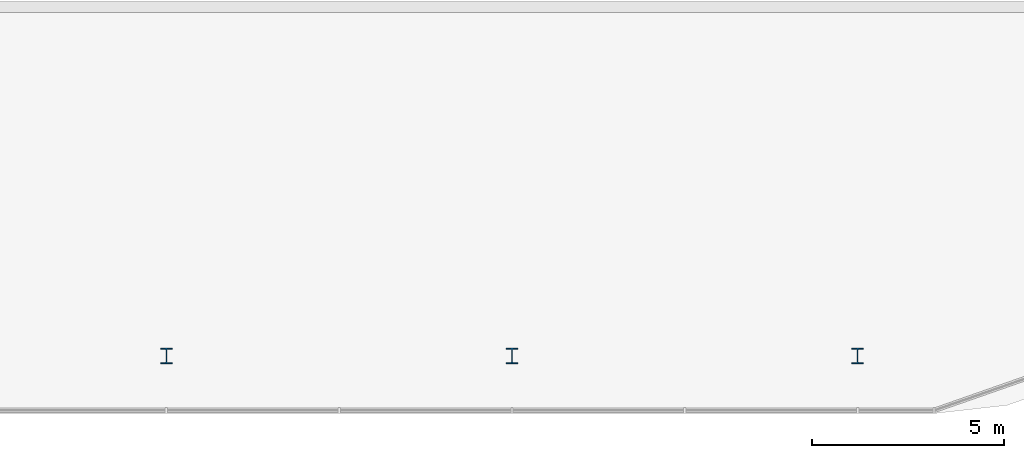
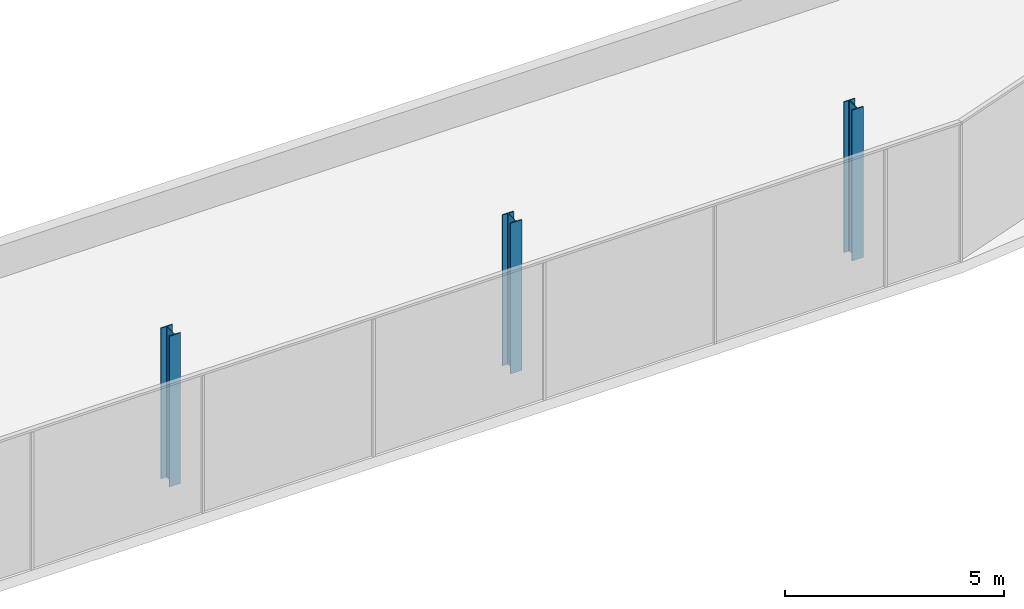
# One storey, part 1 of 5: 3 columns.
"""IFC4 building model written with IfcOpenShell, lengths in metres."""

import ifcopenshell
import ifcopenshell.guid

model = None  # the IFC model being written
_history = None  # IfcOwnerHistory: only IFC2X3 demands one
_inside = {}  # id of a spatial element -> (the spatial element, [elements in it])
_under = {}  # id of a project, library or spatial element -> (it, [spatial elements below it])
_declared = {}  # id of a project -> (the project, [libraries it declares])
_typed = {}  # id of a type object -> (the type object, [elements of that type])
_made_of = {}  # id of a material, layer set ... -> (it, [elements and type objects made of it])


def new_model(schema):
    """Start an empty IFC model of exactly this schema.

    Asked for "IFC4X3", IfcOpenShell would pick the latest addendum, in which some entities
    have other attributes; the version numbers below select the first issue.
    IFC2X3 requires an IfcOwnerHistory on every rooted entity: one is made here for all.
    """
    global model, _history
    if schema == "IFC4X3":
        model = ifcopenshell.file(schema_version=(4, 3, 0, 0))
    else:
        model = ifcopenshell.file(schema=schema)
    _inside.clear()
    _under.clear()
    _declared.clear()
    _typed.clear()
    _made_of.clear()
    _history = None
    if model.schema == "IFC2X3":
        org = make("IfcOrganization", Name="unknown")
        user = make(
            "IfcPersonAndOrganization",
            ThePerson=make("IfcPerson", FamilyName="unknown"),
            TheOrganization=org,
        )
        app = make(
            "IfcApplication",
            ApplicationDeveloper=org,
            Version="unknown",
            ApplicationFullName="unknown",
            ApplicationIdentifier="unknown",
        )
        _history = make(
            "IfcOwnerHistory",
            OwningUser=user,
            OwningApplication=app,
            ChangeAction="ADDED",
            CreationDate=0,
        )
    return model


def make(cls, **values):
    """One entity of the class cls with the attributes given. An attribute that is None is left unset."""
    return model.create_entity(
        cls, **{name: value for name, value in values.items() if value is not None}
    )


def rooted(cls, **values):
    """An entity with a GlobalId (a new one), such as an element, a storey or a relation."""
    return make(cls, GlobalId=ifcopenshell.guid.new(), OwnerHistory=_history, **values)


def si_unit(unit_type, name, prefix=None):
    """IfcSIUnit, for example si_unit("LENGTHUNIT", "METRE", prefix="MILLI")."""
    return make("IfcSIUnit", UnitType=unit_type, Prefix=prefix, Name=name)


def assignment(units):
    """IfcUnitAssignment: the units of a project."""
    return None if units is None else make("IfcUnitAssignment", Units=units)


def point(xyz):
    """IfcCartesianPoint."""
    return None if xyz is None else make("IfcCartesianPoint", Coordinates=xyz)


def direction(xyz):
    """IfcDirection."""
    return None if xyz is None else make("IfcDirection", DirectionRatios=xyz)


def frame(location, z_axis=None, x_axis=None):
    """IfcAxis2Placement3D, a coordinate frame: its origin and axes. An axis left out is left unset."""
    return make(
        "IfcAxis2Placement3D",
        Location=point(location),
        Axis=direction(z_axis),
        RefDirection=direction(x_axis),
    )


def frame_2d(location, x_axis=None):
    """IfcAxis2Placement2D, a coordinate frame in the plane: its origin and x axis."""
    return make(
        "IfcAxis2Placement2D", Location=point(location), RefDirection=direction(x_axis)
    )


def origin():
    """The frame at (0, 0, 0) with its axes left unset."""
    return frame((0.0, 0.0, 0.0))


def origin_2d():
    """The frame at (0, 0) in the plane with its x axis left unset."""
    return frame_2d((0.0, 0.0))


def place(relative_to, where):
    """IfcLocalPlacement: puts the frame where relative to a parent placement (None: the world)."""
    return make(
        "IfcLocalPlacement", PlacementRelTo=relative_to, RelativePlacement=where
    )


def context(
    kind, dimensions, precision=None, world=None, true_north=None, identifier=None
):
    """IfcGeometricRepresentationContext, for example the 3D "Model" context."""
    return make(
        "IfcGeometricRepresentationContext",
        ContextIdentifier=identifier,
        ContextType=kind,
        CoordinateSpaceDimension=dimensions,
        Precision=precision,
        WorldCoordinateSystem=world,
        TrueNorth=true_north,
    )


def subcontext(parent, identifier, kind, view, scale=None):
    """IfcGeometricRepresentationSubContext, for example "Body" below "Model"."""
    return make(
        "IfcGeometricRepresentationSubContext",
        ContextIdentifier=identifier,
        ContextType=kind,
        ParentContext=parent,
        TargetScale=scale,
        TargetView=view,
    )


def project(units=None, contexts=None):
    """IfcProject with its units and contexts."""
    return rooted(
        "IfcProject",
        Name="project",
        RepresentationContexts=contexts,
        UnitsInContext=assignment(units),
    )


def spatial(cls, under=None, at=None, **own):
    """A site, building, storey or space (cls), placed at a placement, below another one or the project."""
    s = rooted(cls, ObjectPlacement=at, **own)
    if under is not None:
        _under.setdefault(under.id(), (under, []))[1].append(s)
    return s


def profile(cls, at=None, kind="AREA", **sizes):
    """A parametric profile (cls). Its sizes go by their IFC names, for example OverallWidth=200.0."""
    return make(cls, ProfileType=kind, Position=at, **sizes)


def i_section(**sizes):
    """IfcIShapeProfileDef."""
    return profile("IfcIShapeProfileDef", **sizes)


def extrude(swept, where, along, depth):
    """IfcExtrudedAreaSolid: the profile swept, set in the frame where, extruded along a direction by depth."""
    return make(
        "IfcExtrudedAreaSolid",
        SweptArea=swept,
        Position=where,
        ExtrudedDirection=direction(along),
        Depth=depth,
    )


def shape(context_of_items, identifier, shape_type, items):
    """IfcShapeRepresentation: the items that make up one representation, for example the "Body"."""
    return make(
        "IfcShapeRepresentation",
        ContextOfItems=context_of_items,
        RepresentationIdentifier=identifier,
        RepresentationType=shape_type,
        Items=items,
    )


def material(Name=None, Category=None):
    """IfcMaterial."""
    return make("IfcMaterial", Name=Name, Category=Category)


def material_profile(
    of_material, cross_section, Name=None, Category=None, Priority=None
):
    """IfcMaterialProfile: a cross section and its material."""
    return make(
        "IfcMaterialProfile",
        Name=Name,
        Material=of_material,
        Profile=cross_section,
        Priority=Priority,
        Category=Category,
    )


def profile_set(profiles, Name=None, composite=None):
    """IfcMaterialProfileSet."""
    return make(
        "IfcMaterialProfileSet",
        Name=Name,
        MaterialProfiles=profiles,
        CompositeProfile=composite,
    )


def made_of(thing, what):
    """Note that an element or type object is made of a material, layer set ...; save() writes the relation."""
    if what is not None:
        _made_of.setdefault(what.id(), (what, []))[1].append(thing)
    return thing


def type_object(cls, material=None, **own):
    """A type object (cls), such as IfcWallType, which elements share."""
    return made_of(rooted(cls, **own), material)


def element(
    cls,
    number,
    at=None,
    inside=None,
    cuts=None,
    type_object=None,
    material=None,
    context=None,
    identifier="Body",
    shape_type=None,
    held_by="IfcProductDefinitionShape",
    body=None,
    shapes=None,
    **own,
):
    """One element of the class cls, such as IfcWall. Its Tag is "e" and its number.

    at: its placement. inside: the storey or other place that contains it. cuts: it is an
    opening in that element (IfcRelVoidsElement). A single representation is given by context,
    identifier, shape_type and body (its items); several are given by shapes. held_by: the class
    of the entity that holds the representations. save() writes the other relations.
    """
    e = rooted(cls, Tag="e%d" % number, ObjectPlacement=at, **own)
    if body is not None:
        shapes = [shape(context, identifier, shape_type, body)]
    if shapes is not None:
        e.Representation = make(held_by, Representations=shapes)
    if inside is not None:
        _inside.setdefault(inside.id(), (inside, []))[1].append(e)
    if cuts is not None:
        rooted(
            "IfcRelVoidsElement", RelatingBuildingElement=cuts, RelatedOpeningElement=e
        )
    if type_object is not None:
        _typed.setdefault(type_object.id(), (type_object, []))[1].append(e)
    return made_of(e, material)


def aggregate(whole, parts):
    """IfcRelAggregates: a whole, such as a stair, and the parts it consists of."""
    return rooted("IfcRelAggregates", RelatingObject=whole, RelatedObjects=parts)


def save(model, path):
    """Write the relations noted so far, then the file.

    IfcRelAggregates (storeys below a building ...), IfcRelContainedInSpatialStructure (elements
    in a storey), IfcRelDefinesByType, IfcRelAssociatesMaterial and IfcRelDeclares: one each for
    every whole, place, type object, material and project.
    """
    for whole, parts in _under.values():
        aggregate(whole, parts)
    for where, things in _inside.values():
        rooted(
            "IfcRelContainedInSpatialStructure",
            RelatedElements=things,
            RelatingStructure=where,
        )
    for kind, things in _typed.values():
        rooted("IfcRelDefinesByType", RelatedObjects=things, RelatingType=kind)
    for what, things in _made_of.values():
        rooted("IfcRelAssociatesMaterial", RelatedObjects=things, RelatingMaterial=what)
    for by, libraries in _declared.values():
        rooted("IfcRelDeclares", RelatingContext=by, RelatedDefinitions=libraries)
    model.write(path)


model = new_model("IFC4")

# Units and contexts
model_context = context("Model", 3, precision=1e-05, world=origin(), true_north=direction((0.0, 1.0)))
body_context = subcontext(model_context, "Body", "Model", "MODEL_VIEW")
ifc_project = project(units=[si_unit("LENGTHUNIT", "METRE"), si_unit("AREAUNIT", "SQUARE_METRE"), si_unit("VOLUMEUNIT", "CUBIC_METRE"), si_unit("PLANEANGLEUNIT", "RADIAN"), si_unit("MASSUNIT", "GRAM", prefix="KILO")], contexts=[model_context])

# Site, building, storey
site_placement = place(None, origin())
site = spatial("IfcSite", under=ifc_project, at=site_placement, CompositionType="ELEMENT")
building_placement = place(site_placement, origin())
building = spatial("IfcBuilding", under=site, at=building_placement, Name="Ogive Portal Towers", CompositionType="ELEMENT")
storey_placement = place(building_placement, frame((0.0, 0.0, 289.699951171875)))
storey = spatial("IfcBuildingStorey", under=building, at=storey_placement, Name="L70", CompositionType="ELEMENT", Elevation=289.699951171875)

# Columns
ifc_material = material(Name="Steel S355", Category="steel")
ifc_material_profile = material_profile(ifc_material, i_section(OverallWidth=0.300048828125, OverallDepth=0.39990234375, WebThickness=0.013427734375, FlangeThickness=0.02392578125, FilletRadius=0.027099609375, at=origin_2d()), Name="HEB 400")
ifc_profile_set = profile_set([ifc_material_profile], Name="Steel S355")
column_type = type_object("IfcColumnType", Name="CROWN COLUMN HEB 400", PredefinedType="COLUMN", material=ifc_profile_set)
for number, where, z_axis, x_axis, name in (
    (1, (67.5, 21.5, 0.0), (0.0, 0.0, 1.0), (1.0, 0.0, 0.0), "Crown column L70"),
    (2, (76.5, 21.5, 0.0), (0.0, 0.0, 1.0), (1.0, 0.0, 0.0), "Crown column L70"),
    (3, (85.5, 21.5, 0.0), (0.0, 0.0, 1.0), (1.0, 0.0, 0.0), "Crown column L70"),
):
    element("IfcColumn", number, at=place(storey_placement, frame(where, z_axis=z_axis, x_axis=x_axis)), inside=storey, type_object=column_type, Name=name, PredefinedType="COLUMN", context=body_context, shape_type="SweptSolid", body=[
        extrude(i_section(OverallWidth=0.300048828125, OverallDepth=0.39990234375, WebThickness=0.013427734375, FlangeThickness=0.02392578125, FilletRadius=0.027099609375, at=origin_2d()), origin(), (0.0, 0.0, 1.0), 4.199951171875),
    ])

save(model, "model.ifc")
